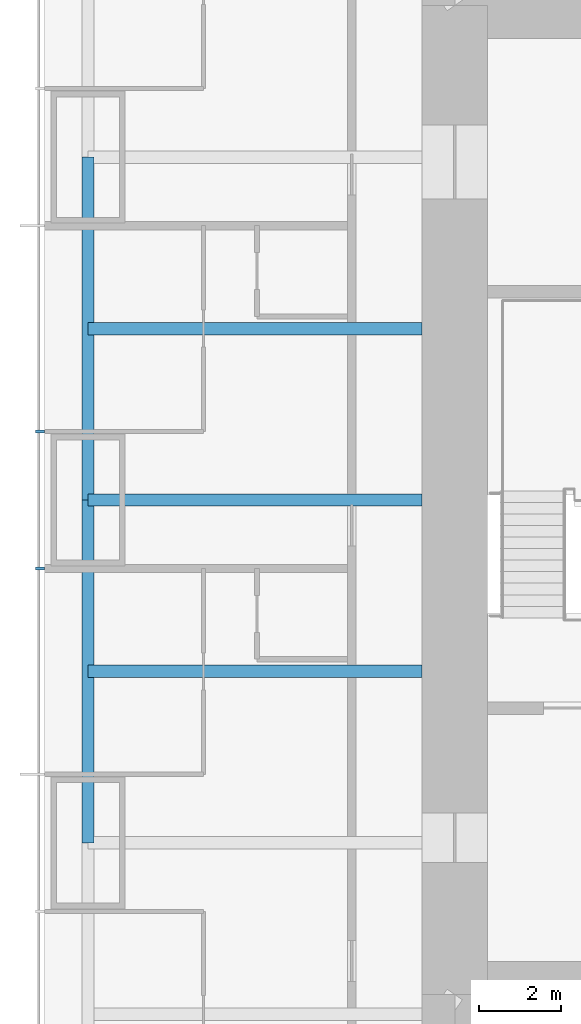
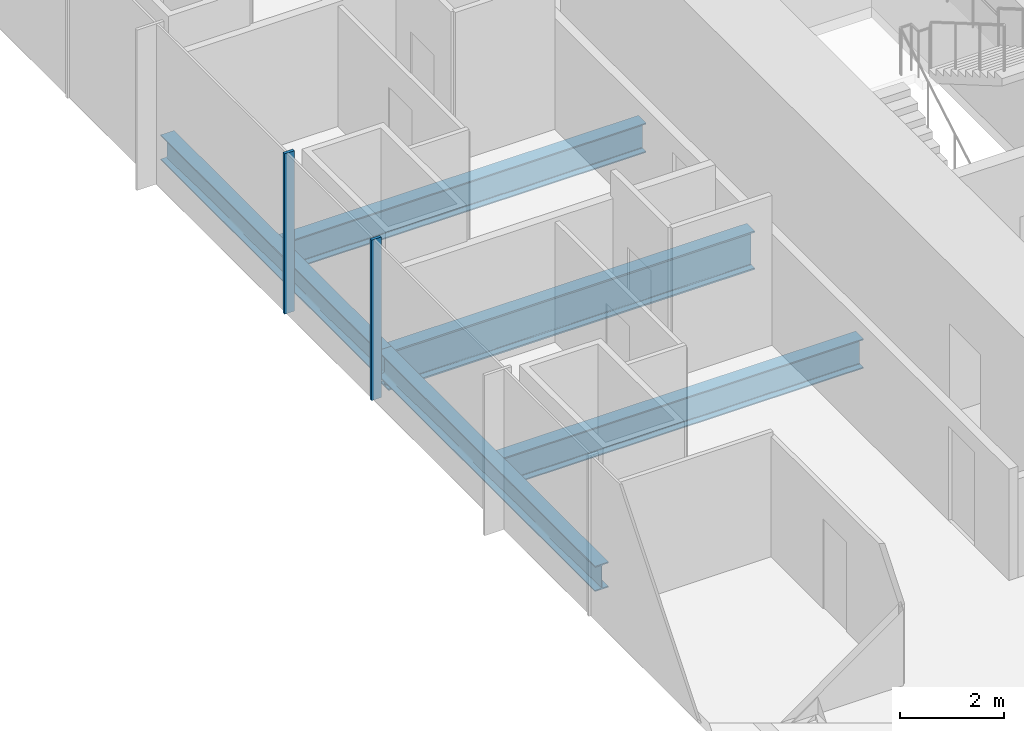
# One storey, part 3 of 13: 5 beams, 2 members, 1 element without a shape of its own.
"""IFC4 building model written with IfcOpenShell, lengths in metres."""

import ifcopenshell
import ifcopenshell.guid

model = None  # the IFC model being written
_history = None  # IfcOwnerHistory: only IFC2X3 demands one
_inside = {}  # id of a spatial element -> (the spatial element, [elements in it])
_under = {}  # id of a project, library or spatial element -> (it, [spatial elements below it])
_declared = {}  # id of a project -> (the project, [libraries it declares])
_typed = {}  # id of a type object -> (the type object, [elements of that type])
_made_of = {}  # id of a material, layer set ... -> (it, [elements and type objects made of it])


def new_model(schema):
    """Start an empty IFC model of exactly this schema.

    Asked for "IFC4X3", IfcOpenShell would pick the latest addendum, in which some entities
    have other attributes; the version numbers below select the first issue.
    IFC2X3 requires an IfcOwnerHistory on every rooted entity: one is made here for all.
    """
    global model, _history
    if schema == "IFC4X3":
        model = ifcopenshell.file(schema_version=(4, 3, 0, 0))
    else:
        model = ifcopenshell.file(schema=schema)
    _inside.clear()
    _under.clear()
    _declared.clear()
    _typed.clear()
    _made_of.clear()
    _history = None
    if model.schema == "IFC2X3":
        org = make("IfcOrganization", Name="unknown")
        user = make(
            "IfcPersonAndOrganization",
            ThePerson=make("IfcPerson", FamilyName="unknown"),
            TheOrganization=org,
        )
        app = make(
            "IfcApplication",
            ApplicationDeveloper=org,
            Version="unknown",
            ApplicationFullName="unknown",
            ApplicationIdentifier="unknown",
        )
        _history = make(
            "IfcOwnerHistory",
            OwningUser=user,
            OwningApplication=app,
            ChangeAction="ADDED",
            CreationDate=0,
        )
    return model


def make(cls, **values):
    """One entity of the class cls with the attributes given. An attribute that is None is left unset."""
    return model.create_entity(
        cls, **{name: value for name, value in values.items() if value is not None}
    )


def rooted(cls, **values):
    """An entity with a GlobalId (a new one), such as an element, a storey or a relation."""
    return make(cls, GlobalId=ifcopenshell.guid.new(), OwnerHistory=_history, **values)


def si_unit(unit_type, name, prefix=None):
    """IfcSIUnit, for example si_unit("LENGTHUNIT", "METRE", prefix="MILLI")."""
    return make("IfcSIUnit", UnitType=unit_type, Prefix=prefix, Name=name)


def assignment(units):
    """IfcUnitAssignment: the units of a project."""
    return None if units is None else make("IfcUnitAssignment", Units=units)


def point(xyz):
    """IfcCartesianPoint."""
    return None if xyz is None else make("IfcCartesianPoint", Coordinates=xyz)


def direction(xyz):
    """IfcDirection."""
    return None if xyz is None else make("IfcDirection", DirectionRatios=xyz)


def frame(location, z_axis=None, x_axis=None):
    """IfcAxis2Placement3D, a coordinate frame: its origin and axes. An axis left out is left unset."""
    return make(
        "IfcAxis2Placement3D",
        Location=point(location),
        Axis=direction(z_axis),
        RefDirection=direction(x_axis),
    )


def frame_2d(location, x_axis=None):
    """IfcAxis2Placement2D, a coordinate frame in the plane: its origin and x axis."""
    return make(
        "IfcAxis2Placement2D", Location=point(location), RefDirection=direction(x_axis)
    )


def origin():
    """The frame at (0, 0, 0) with its axes left unset."""
    return frame((0.0, 0.0, 0.0))


def origin_2d():
    """The frame at (0, 0) in the plane with its x axis left unset."""
    return frame_2d((0.0, 0.0))


def place(relative_to, where):
    """IfcLocalPlacement: puts the frame where relative to a parent placement (None: the world)."""
    return make(
        "IfcLocalPlacement", PlacementRelTo=relative_to, RelativePlacement=where
    )


def context(
    kind, dimensions, precision=None, world=None, true_north=None, identifier=None
):
    """IfcGeometricRepresentationContext, for example the 3D "Model" context."""
    return make(
        "IfcGeometricRepresentationContext",
        ContextIdentifier=identifier,
        ContextType=kind,
        CoordinateSpaceDimension=dimensions,
        Precision=precision,
        WorldCoordinateSystem=world,
        TrueNorth=true_north,
    )


def subcontext(parent, identifier, kind, view, scale=None):
    """IfcGeometricRepresentationSubContext, for example "Body" below "Model"."""
    return make(
        "IfcGeometricRepresentationSubContext",
        ContextIdentifier=identifier,
        ContextType=kind,
        ParentContext=parent,
        TargetScale=scale,
        TargetView=view,
    )


def project(units=None, contexts=None):
    """IfcProject with its units and contexts."""
    return rooted(
        "IfcProject",
        Name="project",
        RepresentationContexts=contexts,
        UnitsInContext=assignment(units),
    )


def spatial(cls, under=None, at=None, **own):
    """A site, building, storey or space (cls), placed at a placement, below another one or the project."""
    s = rooted(cls, ObjectPlacement=at, **own)
    if under is not None:
        _under.setdefault(under.id(), (under, []))[1].append(s)
    return s


def profile(cls, at=None, kind="AREA", **sizes):
    """A parametric profile (cls). Its sizes go by their IFC names, for example OverallWidth=200.0."""
    return make(cls, ProfileType=kind, Position=at, **sizes)


def rectangle(**sizes):
    """IfcRectangleProfileDef."""
    return profile("IfcRectangleProfileDef", **sizes)


def i_section(**sizes):
    """IfcIShapeProfileDef."""
    return profile("IfcIShapeProfileDef", **sizes)


def extrude(swept, where, along, depth):
    """IfcExtrudedAreaSolid: the profile swept, set in the frame where, extruded along a direction by depth."""
    return make(
        "IfcExtrudedAreaSolid",
        SweptArea=swept,
        Position=where,
        ExtrudedDirection=direction(along),
        Depth=depth,
    )


def shape(context_of_items, identifier, shape_type, items):
    """IfcShapeRepresentation: the items that make up one representation, for example the "Body"."""
    return make(
        "IfcShapeRepresentation",
        ContextOfItems=context_of_items,
        RepresentationIdentifier=identifier,
        RepresentationType=shape_type,
        Items=items,
    )


def material(Name=None, Category=None):
    """IfcMaterial."""
    return make("IfcMaterial", Name=Name, Category=Category)


def material_profile(
    of_material, cross_section, Name=None, Category=None, Priority=None
):
    """IfcMaterialProfile: a cross section and its material."""
    return make(
        "IfcMaterialProfile",
        Name=Name,
        Material=of_material,
        Profile=cross_section,
        Priority=Priority,
        Category=Category,
    )


def profile_set(profiles, Name=None, composite=None):
    """IfcMaterialProfileSet."""
    return make(
        "IfcMaterialProfileSet",
        Name=Name,
        MaterialProfiles=profiles,
        CompositeProfile=composite,
    )


def made_of(thing, what):
    """Note that an element or type object is made of a material, layer set ...; save() writes the relation."""
    if what is not None:
        _made_of.setdefault(what.id(), (what, []))[1].append(thing)
    return thing


def type_object(cls, material=None, **own):
    """A type object (cls), such as IfcWallType, which elements share."""
    return made_of(rooted(cls, **own), material)


def element(
    cls,
    number,
    at=None,
    inside=None,
    cuts=None,
    type_object=None,
    material=None,
    context=None,
    identifier="Body",
    shape_type=None,
    held_by="IfcProductDefinitionShape",
    body=None,
    shapes=None,
    **own,
):
    """One element of the class cls, such as IfcWall. Its Tag is "e" and its number.

    at: its placement. inside: the storey or other place that contains it. cuts: it is an
    opening in that element (IfcRelVoidsElement). A single representation is given by context,
    identifier, shape_type and body (its items); several are given by shapes. held_by: the class
    of the entity that holds the representations. save() writes the other relations.
    """
    e = rooted(cls, Tag="e%d" % number, ObjectPlacement=at, **own)
    if body is not None:
        shapes = [shape(context, identifier, shape_type, body)]
    if shapes is not None:
        e.Representation = make(held_by, Representations=shapes)
    if inside is not None:
        _inside.setdefault(inside.id(), (inside, []))[1].append(e)
    if cuts is not None:
        rooted(
            "IfcRelVoidsElement", RelatingBuildingElement=cuts, RelatedOpeningElement=e
        )
    if type_object is not None:
        _typed.setdefault(type_object.id(), (type_object, []))[1].append(e)
    return made_of(e, material)


def aggregate(whole, parts):
    """IfcRelAggregates: a whole, such as a stair, and the parts it consists of."""
    return rooted("IfcRelAggregates", RelatingObject=whole, RelatedObjects=parts)


def save(model, path):
    """Write the relations noted so far, then the file.

    IfcRelAggregates (storeys below a building ...), IfcRelContainedInSpatialStructure (elements
    in a storey), IfcRelDefinesByType, IfcRelAssociatesMaterial and IfcRelDeclares: one each for
    every whole, place, type object, material and project.
    """
    for whole, parts in _under.values():
        aggregate(whole, parts)
    for where, things in _inside.values():
        rooted(
            "IfcRelContainedInSpatialStructure",
            RelatedElements=things,
            RelatingStructure=where,
        )
    for kind, things in _typed.values():
        rooted("IfcRelDefinesByType", RelatedObjects=things, RelatingType=kind)
    for what, things in _made_of.values():
        rooted("IfcRelAssociatesMaterial", RelatedObjects=things, RelatingMaterial=what)
    for by, libraries in _declared.values():
        rooted("IfcRelDeclares", RelatingContext=by, RelatedDefinitions=libraries)
    model.write(path)


model = new_model("IFC4")

# Units and contexts
model_context = context("Model", 3, precision=1e-05, world=origin(), true_north=direction((0.0, 1.0)))
body_context = subcontext(model_context, "Body", "Model", "MODEL_VIEW")
ifc_project = project(units=[si_unit("LENGTHUNIT", "METRE"), si_unit("AREAUNIT", "SQUARE_METRE"), si_unit("VOLUMEUNIT", "CUBIC_METRE"), si_unit("PLANEANGLEUNIT", "RADIAN"), si_unit("MASSUNIT", "GRAM", prefix="KILO")], contexts=[model_context])

# Site, building, storey
site_placement = place(None, origin())
site = spatial("IfcSite", under=ifc_project, at=site_placement, CompositionType="ELEMENT")
building_placement = place(site_placement, origin())
building = spatial("IfcBuilding", under=site, at=building_placement, Name="Khuree Lantern Residences", CompositionType="ELEMENT")
storey_placement = place(building_placement, frame((0.0, 0.0, 267.0)))
storey = spatial("IfcBuildingStorey", under=building, at=storey_placement, Name="L67", CompositionType="ELEMENT", Elevation=267.0)

# Beams
ifc_material_1 = material(Name="Steel S355", Category="steel")
ifc_material_profile_1 = material_profile(ifc_material_1, i_section(OverallWidth=0.300048828125, OverallDepth=0.68994140625, WebThickness=0.014404296875, FlangeThickness=0.027099609375, FilletRadius=0.027099609375, at=origin_2d()), Name="HE 700 A")
ifc_profile_set_1 = profile_set([ifc_material_profile_1], Name="Steel S355")
beam_type_1 = type_object("IfcBeamType", Name="B-35 SECONDARY BEAM HE 700 A", PredefinedType="BEAM", material=ifc_profile_set_1)
for number, where, z_axis, x_axis, name in (
    (1, (-24.39990234375, -4.159912109375, -0.594970703125), (1.0, 0.0, 0.0), (0.0, 1.0, 0.0), "Secondary beam W3"),
    (2, (-24.39990234375, 4.159912109375, -0.594970703125), (1.0, 0.0, 0.0), (0.0, 1.0, 0.0), "Secondary beam W4"),
):
    element("IfcBeam", number, at=place(storey_placement, frame(where, z_axis=z_axis, x_axis=x_axis)), inside=storey, type_object=beam_type_1, Name=name, PredefinedType="BEAM", context=body_context, shape_type="SweptSolid", body=[
        extrude(i_section(OverallWidth=0.300048828125, OverallDepth=0.68994140625, WebThickness=0.014404296875, FlangeThickness=0.027099609375, FilletRadius=0.027099609375, at=origin_2d()), origin(), (0.0, 0.0, 1.0), 8.099853515625),
    ])
ifc_material_profile_2 = material_profile(ifc_material_1, i_section(OverallWidth=0.300048828125, OverallDepth=0.590087890625, WebThickness=0.012939453125, FlangeThickness=0.02490234375, FilletRadius=0.027099609375, at=origin_2d()), Name="HE 600 A")
ifc_profile_set_2 = profile_set([ifc_material_profile_2], Name="Steel S355")
beam_type_2 = type_object("IfcBeamType", Name="E-35 SPANDREL BEAM HE 600 A", PredefinedType="SPANDREL", material=ifc_profile_set_2)
for number, where, z_axis, x_axis, name in (
    (3, (-24.39990234375, -8.320068359375, -0.544921875), (0.0, 1.0, 0.0), (-1.0, 0.0, 0.0), "Spandrel beam W3"),
    (4, (-24.39990234375, 0.0, -0.544921875), (0.0, 1.0, 0.0), (-1.0, 0.0, 0.0), "Spandrel beam W4"),
):
    element("IfcBeam", number, at=place(storey_placement, frame(where, z_axis=z_axis, x_axis=x_axis)), inside=storey, type_object=beam_type_2, Name=name, PredefinedType="SPANDREL", context=body_context, shape_type="SweptSolid", body=[
        extrude(i_section(OverallWidth=0.300048828125, OverallDepth=0.590087890625, WebThickness=0.012939453125, FlangeThickness=0.02490234375, FilletRadius=0.027099609375, at=origin_2d()), origin(), (0.0, 0.0, 1.0), 8.320068359375),
    ])
ifc_material_profile_3 = material_profile(ifc_material_1, i_section(OverallWidth=0.300048828125, OverallDepth=0.89990234375, WebThickness=0.0185546875, FlangeThickness=0.034912109375, FilletRadius=0.030029296875, at=origin_2d()), Name="HE 900 B")
ifc_profile_set_3 = profile_set([ifc_material_profile_3], Name="Steel S355")
beam_type_3 = type_object("IfcBeamType", Name="G-35 GIRDER HE 900 B", PredefinedType="BEAM", material=ifc_profile_set_3)
beam_placement = place(storey_placement, frame((-24.39990234375, 0.0, -0.699951171875), z_axis=(1.0, 0.0, 0.0), x_axis=(0.0, 1.0, 0.0)))
element("IfcBeam", 5, at=beam_placement, inside=storey, type_object=beam_type_3, Name="Girder W3", PredefinedType="BEAM", context=body_context, shape_type="SweptSolid", body=[
    extrude(i_section(OverallWidth=0.300048828125, OverallDepth=0.89990234375, WebThickness=0.0185546875, FlangeThickness=0.034912109375, FilletRadius=0.030029296875, at=origin_2d()), origin(), (0.0, 0.0, 1.0), 8.099853515625),
])

# Curtain wall, members
ifc_material_2 = material(Name="Bronze anodised aluminium", Category="aluminium")
curtain_wall_type = type_object("IfcCurtainWallType", Name="CW-T1 TOWER FACE CURTAIN WALL", PredefinedType="USERDEFINED", material=ifc_material_2)
curtain_wall_placement = place(storey_placement, origin())
curtain_wall = element("IfcCurtainWall", 6, at=curtain_wall_placement, inside=storey, type_object=curtain_wall_type, Name="L67 WEST FACE CURTAIN WALL", ObjectType="Stick-built curtain wall", PredefinedType="USERDEFINED")
ifc_material_profile_4 = material_profile(ifc_material_2, rectangle(XDim=0.06494140625, YDim=0.219970703125, at=origin_2d()), Name="M1 65X220")
ifc_profile_set_4 = profile_set([ifc_material_profile_4], Name="Bronze anodised aluminium")
member_type = type_object("IfcMemberType", Name="M1 BRONZE MULLION TOWER 65X220", PredefinedType="MULLION", material=ifc_profile_set_4)
member_1_placement = place(storey_placement, frame((-25.56005859375, 1.6640625, 0.0), z_axis=(0.0, 0.0, 1.0), x_axis=(0.0, -1.0, 0.0)))
member_1 = element("IfcMember", 7, at=member_1_placement, type_object=member_type, Name="L67 WEST FACE MULLION 37", PredefinedType="MULLION", context=body_context, shape_type="SweptSolid", body=[
    extrude(rectangle(XDim=0.06494140625, YDim=0.219970703125, at=origin_2d()), origin(), (0.0, 0.0, 1.0), 3.75),
])
member_2_placement = place(storey_placement, frame((-25.56005859375, -1.6640625, 0.0), z_axis=(0.0, 0.0, 1.0), x_axis=(0.0, -1.0, 0.0)))
member_2 = element("IfcMember", 8, at=member_2_placement, type_object=member_type, Name="L67 WEST FACE MULLION 38", PredefinedType="MULLION", context=body_context, shape_type="SweptSolid", body=[
    extrude(rectangle(XDim=0.06494140625, YDim=0.219970703125, at=origin_2d()), origin(), (0.0, 0.0, 1.0), 3.75),
])
aggregate(curtain_wall, [member_1, member_2])

save(model, "model.ifc")
